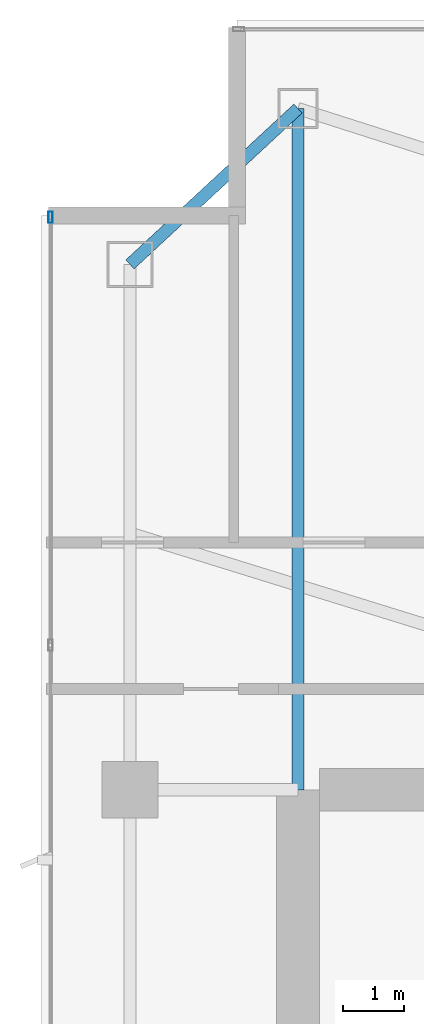
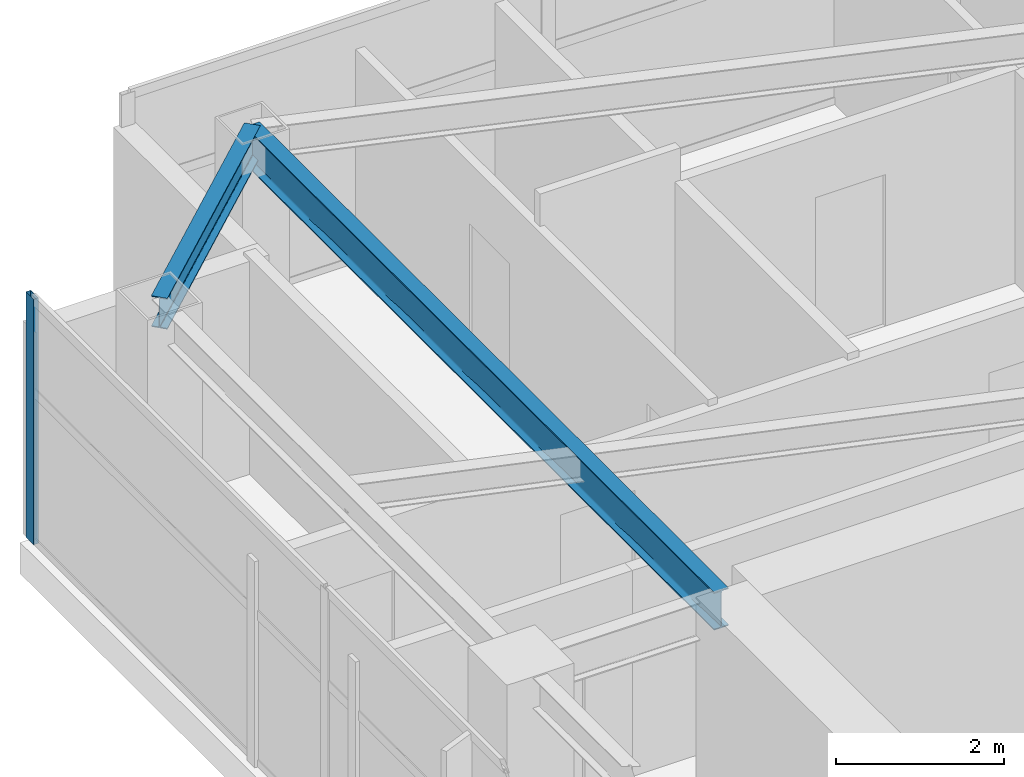
# One storey, part 16 of 28: 2 beams, 1 member, 1 element without a shape of its own.
"""IFC4 building model written with IfcOpenShell, lengths in metres."""

from ifc_helpers import new_model, si_unit, direction, frame, origin, origin_2d, place, context, subcontext, project, spatial, hollow_rectangle, i_section, extrude, material, layer, layer_set, material_profile, profile_set, type_object, element, aggregate, save


model = new_model("IFC4")

# Units and contexts
model_context = context("Model", 3, precision=1e-05, world=origin(), true_north=direction((0.0, 1.0)))
body_context = subcontext(model_context, "Body", "Model", "MODEL_VIEW")
ifc_project = project(units=[si_unit("LENGTHUNIT", "METRE"), si_unit("AREAUNIT", "SQUARE_METRE"), si_unit("VOLUMEUNIT", "CUBIC_METRE"), si_unit("PLANEANGLEUNIT", "RADIAN"), si_unit("MASSUNIT", "GRAM", prefix="KILO")], contexts=[model_context])

# Site, building, storey
site_placement = place(None, origin())
site = spatial("IfcSite", under=ifc_project, at=site_placement, CompositionType="ELEMENT")
building_placement = place(site_placement, origin())
building = spatial("IfcBuilding", under=site, at=building_placement, Name="Calvorn Quay Hotel", CompositionType="ELEMENT")
storey_placement = place(building_placement, frame((0.0, 0.0, 243.800048828125)))
storey = spatial("IfcBuildingStorey", under=building, at=storey_placement, Name="L60", CompositionType="ELEMENT", Elevation=243.800048828125)

# Beams
ifc_material_1 = material(Name="Steel Q355B", Category="steel")
ifc_material_profile_1 = material_profile(ifc_material_1, i_section(OverallWidth=0.199951171875, OverallDepth=0.550048828125, WebThickness=0.010009765625, FlangeThickness=0.01611328125, FilletRadius=0.01806640625, at=origin_2d()), Name="HN550x200x10x16")
ifc_profile_set_1 = profile_set([ifc_material_profile_1], Name="Steel Q355B")
beam_type_1 = type_object("IfcBeamType", Name="BM-GIRD-UPP", PredefinedType="BEAM", material=ifc_profile_set_1)
beam_1_placement = place(storey_placement, frame((4.199951171875, 49.550048828125, 3.264892578125), z_axis=(0.0, -1.0, 0.0), x_axis=(1.0, 0.0, 0.0)))
element("IfcBeam", 1, at=beam_1_placement, inside=storey, type_object=beam_type_1, Name="Beam BG-L60-W5", PredefinedType="BEAM", context=body_context, shape_type="SweptSolid", body=[
    extrude(i_section(OverallWidth=0.199951171875, OverallDepth=0.550048828125, WebThickness=0.010009765625, FlangeThickness=0.01611328125, FilletRadius=0.01806640625, at=origin_2d()), origin(), (0.0, 0.0, 1.0), 11.150146484375),
])
ifc_material_2 = material(Name="Steel Q355B", Category="steel")
ifc_material_profile_2 = material_profile(ifc_material_2, i_section(OverallWidth=0.199951171875, OverallDepth=0.449951171875, WebThickness=0.009033203125, FlangeThickness=0.013916015625, FilletRadius=0.01611328125, at=origin_2d()), Name="HN450x200x9x14")
ifc_profile_set_2 = profile_set([ifc_material_profile_2], Name="Steel Q355B")
beam_type_2 = type_object("IfcBeamType", Name="BM-SPANDREL-Z3", PredefinedType="SPANDREL", material=ifc_profile_set_2)
beam_2_placement = place(storey_placement, frame((1.449951171875, 47.0, 3.31494140625), z_axis=(0.733261665538, 0.679946563969, 0.0), x_axis=(-0.679946563969, 0.733261665538, 0.0)))
element("IfcBeam", 2, at=beam_2_placement, inside=storey, type_object=beam_type_2, Name="Beam BSP-L60-W5", PredefinedType="SPANDREL", context=body_context, shape_type="SweptSolid", body=[
    extrude(i_section(OverallWidth=0.199951171875, OverallDepth=0.449951171875, WebThickness=0.009033203125, FlangeThickness=0.013916015625, FilletRadius=0.01611328125, at=origin_2d()), origin(), (0.0, 0.0, 1.0), 3.75048828125),
])

# Curtain wall, member
ifc_material_3 = material(Name="Champagne Bronze Anodised Aluminium and Low-E Glass", Category="aluminium")
ifc_layer = layer(ifc_material_3, 0.219970703125)
ifc_layer_set = layer_set([ifc_layer], Name="CW-SYS-Z3")
curtain_wall_type = type_object("IfcCurtainWallType", Name="CW-SYS-Z3", PredefinedType="NOTDEFINED", material=ifc_layer_set)
curtain_wall_placement = place(storey_placement, origin())
curtain_wall = element("IfcCurtainWall", 3, at=curtain_wall_placement, inside=storey, type_object=curtain_wall_type, Name="Tower West Curtain Wall (L60)", PredefinedType="NOTDEFINED")
ifc_material_4 = material(Name="Champagne Bronze Anodised Aluminium 6063-T6", Category="aluminium")
ifc_material_profile_3 = material_profile(ifc_material_4, hollow_rectangle(XDim=0.068115234375, YDim=0.18505859375, WallThickness=0.00390625, at=origin_2d()), Name="ALU-M185x68x4")
ifc_profile_set_3 = profile_set([ifc_material_profile_3], Name="Champagne Bronze Anodised Aluminium 6063-T6")
member_type = type_object("IfcMemberType", Name="CW-SYS-Z3-MUL", PredefinedType="MULLION", material=ifc_profile_set_3)
member_placement = place(storey_placement, frame((0.14990234375, 47.77001953125, 0.0), z_axis=(0.0, 0.0, 1.0), x_axis=(-1.0, 0.0, 0.0)))
member = element("IfcMember", 4, at=member_placement, type_object=member_type, Name="CW-L60-W mullion 7", PredefinedType="MULLION", context=body_context, shape_type="SweptSolid", body=[
    extrude(hollow_rectangle(XDim=0.068115234375, YDim=0.18505859375, WallThickness=0.00390625, at=origin_2d()), origin(), (0.0, 0.0, 1.0), 3.56005859375),
])
aggregate(curtain_wall, [member])

save(model, "model.ifc")
